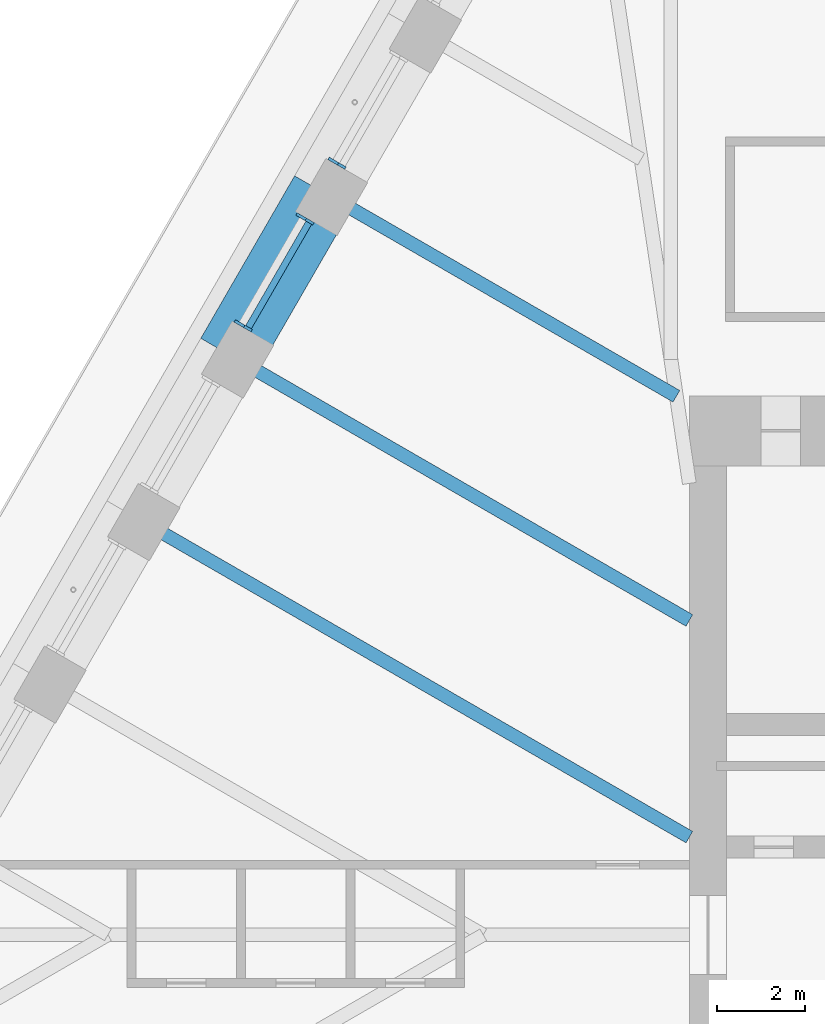
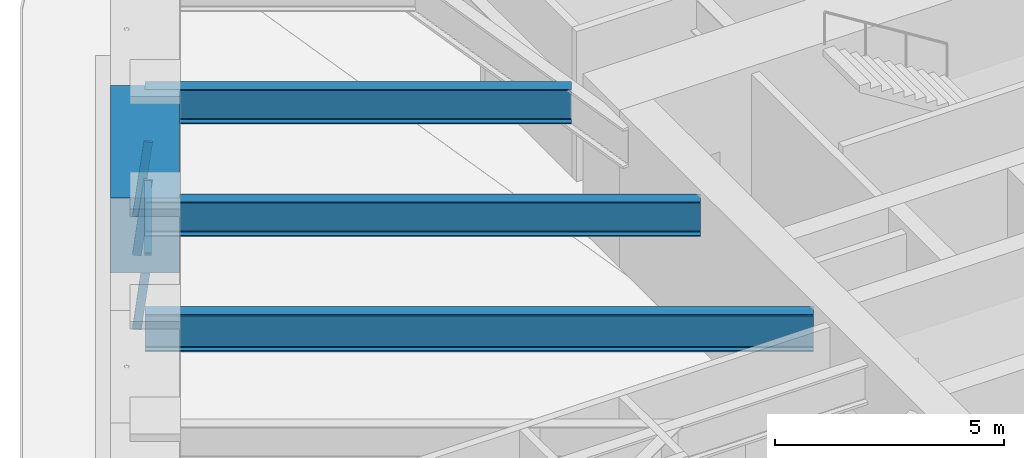
# One storey, part 7 of 18: 4 beams, 4 members, 2 elements without a shape of their own.
"""IFC4 building model written with IfcOpenShell, lengths in metres."""

from ifc_helpers import new_model, si_unit, direction, frame, origin, origin_2d, place, context, subcontext, project, spatial, rectangle, i_section, extrude, material, material_profile, profile_set, type_object, element, aggregate, save


model = new_model("IFC4")

# Units and contexts
model_context = context("Model", 3, precision=1e-05, world=origin(), true_north=direction((0.0, 1.0)))
body_context = subcontext(model_context, "Body", "Model", "MODEL_VIEW")
ifc_project = project(units=[si_unit("LENGTHUNIT", "METRE"), si_unit("AREAUNIT", "SQUARE_METRE"), si_unit("VOLUMEUNIT", "CUBIC_METRE"), si_unit("PLANEANGLEUNIT", "RADIAN"), si_unit("MASSUNIT", "GRAM", prefix="KILO")], contexts=[model_context])

# Site, building, storey
site_placement = place(None, origin())
site = spatial("IfcSite", under=ifc_project, at=site_placement, CompositionType="ELEMENT")
building_placement = place(site_placement, origin())
building = spatial("IfcBuilding", under=site, at=building_placement, Name="Tarfa Lantern Tower", CompositionType="ELEMENT")
storey_placement = place(building_placement, frame((0.0, 0.0, 315.699951171875)))
storey = spatial("IfcBuildingStorey", under=building, at=storey_placement, Name="L71", CompositionType="ELEMENT", Elevation=315.699951171875)

# Curtain wall, member
ifc_material_1 = material(Name="Aluminium framed curtain wall", Category="aluminium")
curtain_wall_type = type_object("IfcCurtainWallType", Name="CW4 CANTED GLAZING EXECUTIVE ZONE 2000", PredefinedType="USERDEFINED", material=ifc_material_1)
curtain_wall_1_placement = place(storey_placement, origin())
curtain_wall_1 = element("IfcCurtainWall", 1, at=curtain_wall_1_placement, inside=storey, type_object=curtain_wall_type, Name="CW4 NW L71", ObjectType="CURTAIN WALL", PredefinedType="USERDEFINED")
ifc_material_2 = material(Name="Aluminium mullion", Category="aluminium")
ifc_material_profile_1 = material_profile(ifc_material_2, rectangle(XDim=0.06494140625, YDim=0.199951171875, at=origin_2d()), Name="AL MULLION 65x200")
ifc_profile_set_1 = profile_set([ifc_material_profile_1], Name="Aluminium mullion")
member_type_1 = type_object("IfcMemberType", Name="CWM1 MULLION 65x200", PredefinedType="MULLION", material=ifc_profile_set_1)
member_1_placement = place(storey_placement, frame((-20.572265625, 17.667724609375, 0.0), z_axis=(0.107439978116, -0.062017213975, 0.992275423596), x_axis=(0.499919672301, 0.866071776036, 0.0)))
member_1 = element("IfcMember", 2, at=member_1_placement, type_object=member_type_1, Name="CW4 mullion 2", PredefinedType="MULLION", context=body_context, shape_type="SweptSolid", body=[
    extrude(rectangle(XDim=0.06494140625, YDim=0.199951171875, at=origin_2d()), origin(), (0.0, 0.0, 1.0), 2.015625),
])
aggregate(curtain_wall_1, [member_1])

# Curtain wall, members
curtain_wall_2_placement = place(storey_placement, origin())
curtain_wall_2 = element("IfcCurtainWall", 3, at=curtain_wall_2_placement, inside=storey, type_object=curtain_wall_type, Name="CW4 NW L71", ObjectType="CURTAIN WALL", PredefinedType="USERDEFINED")
member_2_placement = place(storey_placement, frame((-21.304931640625, 16.39892578125, 0.0), z_axis=(0.107439978116, -0.062017213975, 0.992275423596), x_axis=(0.499919672301, 0.866071776036, 0.0)))
member_2 = element("IfcMember", 4, at=member_2_placement, type_object=member_type_1, Name="CW4 mullion 1", PredefinedType="MULLION", context=body_context, shape_type="SweptSolid", body=[
    extrude(rectangle(XDim=0.06494140625, YDim=0.199951171875, at=origin_2d()), origin(), (0.0, 0.0, 1.0), 2.015625),
])
member_3_placement = place(storey_placement, frame((-22.71337890625, 13.95947265625, 0.0), z_axis=(0.107439978116, -0.062017213975, 0.992275423596), x_axis=(0.499919672301, 0.866071776036, 0.0)))
member_3 = element("IfcMember", 5, at=member_3_placement, type_object=member_type_1, Name="CW4 mullion 2", PredefinedType="MULLION", context=body_context, shape_type="SweptSolid", body=[
    extrude(rectangle(XDim=0.06494140625, YDim=0.199951171875, at=origin_2d()), origin(), (0.0, 0.0, 1.0), 2.015625),
])
ifc_material_3 = material(Name="Aluminium transom", Category="aluminium")
ifc_material_profile_2 = material_profile(ifc_material_3, rectangle(XDim=0.14990234375, YDim=0.06494140625, at=origin_2d()), Name="AL TRANSOM 150x65")
ifc_profile_set_2 = profile_set([ifc_material_profile_2], Name="Aluminium transom")
member_type_2 = type_object("IfcMemberType", Name="CWT1 TRANSOM 150x65", PredefinedType="USERDEFINED", material=ifc_profile_set_2)
member_4_placement = place(storey_placement, frame((-21.108154296875, 16.247802734375, 1.967529296875), z_axis=(-0.499993790352, -0.866028988896, 0.0), x_axis=(0.866028988896, -0.499993790352, 0.0)))
member_4 = element("IfcMember", 6, at=member_4_placement, type_object=member_type_2, Name="CW4 transom 1.2", ObjectType="TRANSOM", PredefinedType="USERDEFINED", context=body_context, shape_type="SweptSolid", body=[
    extrude(rectangle(XDim=0.14990234375, YDim=0.06494140625, at=origin_2d()), origin(), (0.0, 0.0, 1.0), 2.751953125),
])
aggregate(curtain_wall_2, [member_2, member_3, member_4])

# Beams
ifc_material_4 = material(Name="Concrete C80/95", Category="concrete")
ifc_material_profile_3 = material_profile(ifc_material_4, rectangle(XDim=1.5, YDim=2.0, at=origin_2d()), Name="RC 1500x2000")
ifc_profile_set_3 = profile_set([ifc_material_profile_3], Name="Concrete C80/95")
beam_type_1 = type_object("IfcBeamType", Name="RB3 RC 1500x2000", PredefinedType="BEAM", material=ifc_profile_set_3)
beam_1_placement = place(storey_placement, frame((-20.78271484375, 16.943359375, 3.0), z_axis=(-0.499984039138, -0.866034618596, 0.0), x_axis=(0.866034618596, -0.499984039138, 0.0)))
element("IfcBeam", 7, at=beam_1_placement, inside=storey, type_object=beam_type_1, Name="Edge beam NW2", PredefinedType="BEAM", context=body_context, shape_type="SweptSolid", body=[
    extrude(rectangle(XDim=1.5, YDim=2.0, at=origin_2d()), origin(), (0.0, 0.0, 1.0), 4.281982421875),
])
ifc_material_5 = material(Name="Steel S460M", Category="steel")
ifc_material_profile_4 = material_profile(ifc_material_5, i_section(OverallWidth=0.302001953125, OverallDepth=1.008056640625, WebThickness=0.02099609375, FlangeThickness=0.0400390625, FilletRadius=0.030029296875, at=origin_2d()), Name="UB1016x305x349")
ifc_profile_set_4 = profile_set([ifc_material_profile_4], Name="Steel S460M")
beam_type_2 = type_object("IfcBeamType", Name="UB1016x305x349", PredefinedType="BEAM", material=ifc_profile_set_4)
beam_2_placement = place(storey_placement, frame((-25.064697265625, 9.526611328125, 3.49609375), z_axis=(0.866029591389, -0.499992746786, 0.0), x_axis=(0.499992746786, 0.866029591389, 0.0)))
element("IfcBeam", 8, at=beam_2_placement, inside=storey, type_object=beam_type_2, Name="Floor beam NW4", PredefinedType="BEAM", context=body_context, shape_type="SweptSolid", body=[
    extrude(i_section(OverallWidth=0.302001953125, OverallDepth=1.008056640625, WebThickness=0.02099609375, FlangeThickness=0.0400390625, FilletRadius=0.030029296875, at=origin_2d()), origin(), (0.0, 0.0, 1.0), 14.594970703125),
])
ifc_material_profile_5 = material_profile(ifc_material_5, i_section(OverallWidth=0.305419921875, OverallDepth=0.91845703125, WebThickness=0.017333984375, FlangeThickness=0.02783203125, FilletRadius=0.01904296875, at=origin_2d()), Name="UB914x305x253")
ifc_profile_set_5 = profile_set([ifc_material_profile_5], Name="Steel S460M")
beam_type_3 = type_object("IfcBeamType", Name="UB914x305x253", PredefinedType="BEAM", material=ifc_profile_set_5)
beam_3_placement = place(storey_placement, frame((-20.78271484375, 16.943359375, 3.540771484375), z_axis=(0.866021806508, -0.500006230613, 0.0), x_axis=(0.500006230613, 0.866021806508, 0.0)))
element("IfcBeam", 9, at=beam_3_placement, inside=storey, type_object=beam_type_3, Name="Floor beam NW2", PredefinedType="BEAM", context=body_context, shape_type="SweptSolid", body=[
    extrude(i_section(OverallWidth=0.305419921875, OverallDepth=0.91845703125, WebThickness=0.017333984375, FlangeThickness=0.02783203125, FilletRadius=0.01904296875, at=origin_2d()), origin(), (0.0, 0.0, 1.0), 9.30908203125),
])
beam_4_placement = place(storey_placement, frame((-22.923583984375, 13.235107421875, 3.540771484375), z_axis=(0.86601856927, -0.500011837539, 0.0), x_axis=(0.500011837539, 0.86601856927, 0.0)))
element("IfcBeam", 10, at=beam_4_placement, inside=storey, type_object=beam_type_3, Name="Floor beam NW3", PredefinedType="BEAM", context=body_context, shape_type="SweptSolid", body=[
    extrude(i_section(OverallWidth=0.305419921875, OverallDepth=0.91845703125, WebThickness=0.017333984375, FlangeThickness=0.02783203125, FilletRadius=0.01904296875, at=origin_2d()), origin(), (0.0, 0.0, 1.0), 12.122802734375),
])

save(model, "model.ifc")
